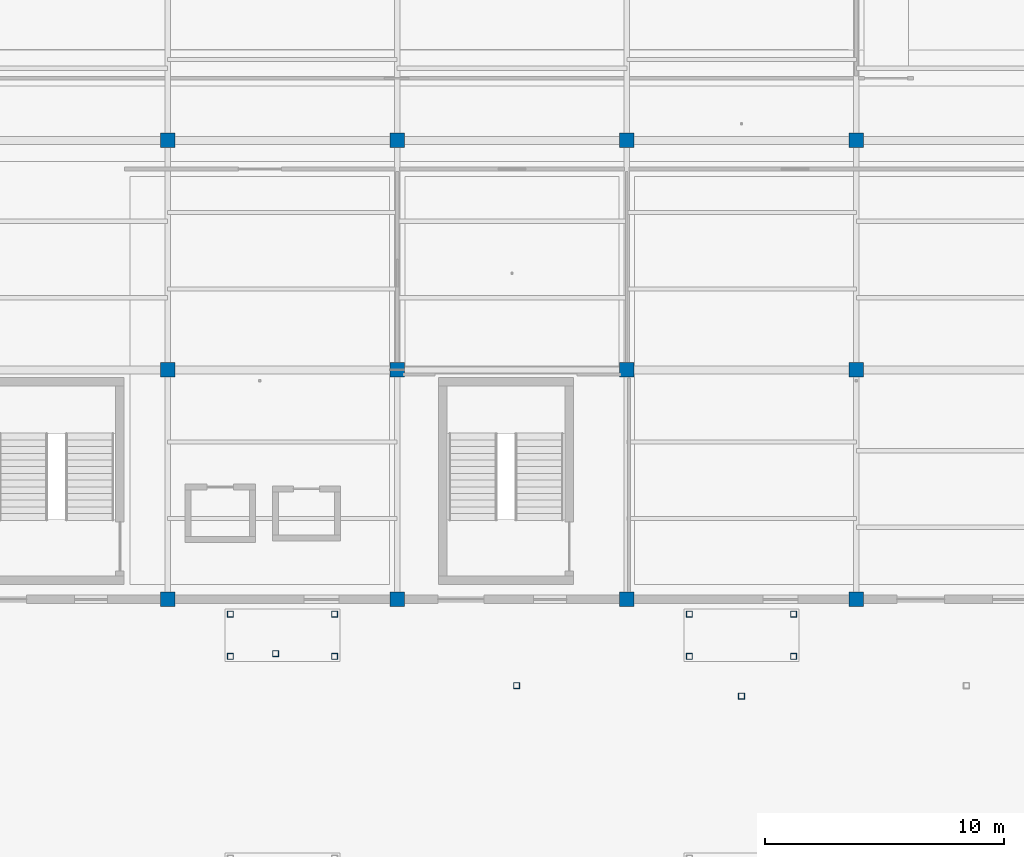
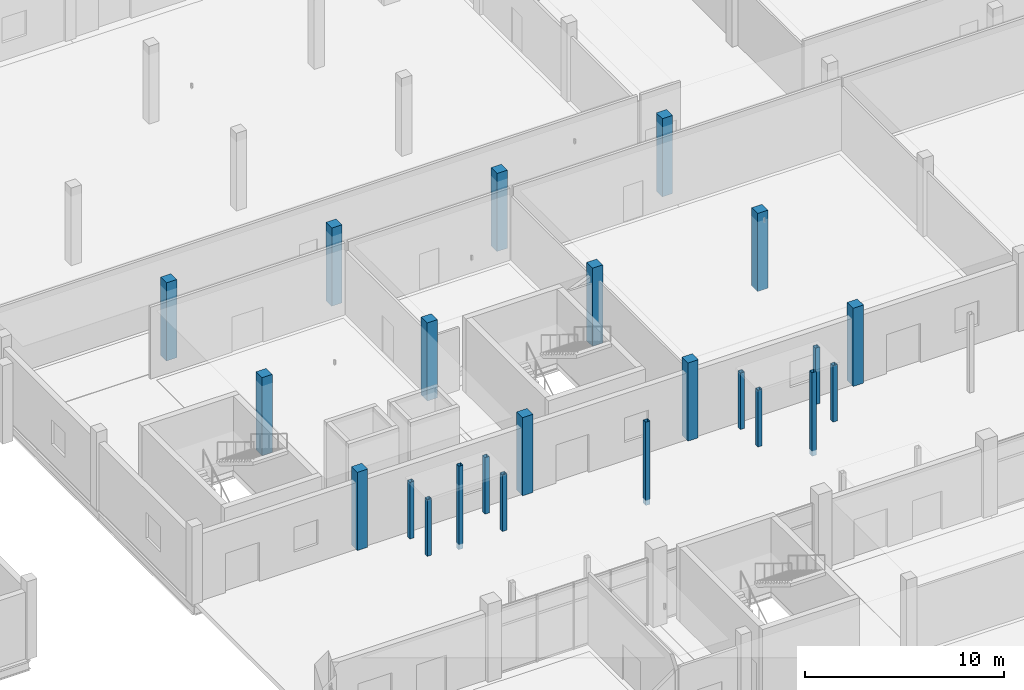
# One storey, part 9 of 116: 23 columns.
"""IFC4 building model written with IfcOpenShell, lengths in metres."""

from ifc_helpers import new_model, si_unit, direction, frame, origin, origin_2d, place, context, subcontext, project, spatial, rectangle, hollow_rectangle, extrude, material, material_profile, profile_set, type_object, element, save


model = new_model("IFC4")

# Units and contexts
model_context = context("Model", 3, precision=1e-05, world=origin(), true_north=direction((0.0, 1.0)))
body_context = subcontext(model_context, "Body", "Model", "MODEL_VIEW")
ifc_project = project(units=[si_unit("LENGTHUNIT", "METRE"), si_unit("AREAUNIT", "SQUARE_METRE"), si_unit("VOLUMEUNIT", "CUBIC_METRE"), si_unit("PLANEANGLEUNIT", "RADIAN"), si_unit("MASSUNIT", "GRAM", prefix="KILO")], contexts=[model_context])

# Site, building, storey
site_placement = place(None, origin())
site = spatial("IfcSite", under=ifc_project, at=site_placement, CompositionType="ELEMENT")
building_placement = place(site_placement, origin())
building = spatial("IfcBuilding", under=site, at=building_placement, Name="Chalmorin Arch Market", CompositionType="ELEMENT")
storey_placement = place(building_placement, origin())
storey = spatial("IfcBuildingStorey", under=building, at=storey_placement, Name="L00", CompositionType="ELEMENT", Elevation=0.0)

# Columns
ifc_material_1 = material(Name="Concrete C40/50", Category="concrete")
ifc_material_profile_1 = material_profile(ifc_material_1, rectangle(XDim=0.60009765625, YDim=0.60009765625, at=origin_2d()), Name="RC600X600")
ifc_profile_set_1 = profile_set([ifc_material_profile_1], Name="Concrete C40/50")
column_type_1 = type_object("IfcColumnType", Name="InteriorConcreteColumn-600x600", PredefinedType="COLUMN", material=ifc_profile_set_1)
for number, where, z_axis, x_axis, name in (
    (1, (57.60009765625, 72.0, 0.0), (0.0, 0.0, 1.0), (1.0, 0.0, 0.0), "C-RC2-281"),
    (2, (57.60009765625, 81.60009765625, 0.0), (0.0, 0.0, 1.0), (1.0, 0.0, 0.0), "C-RC2-286"),
    (3, (57.60009765625, 91.199951171875, 0.0), (0.0, 0.0, 1.0), (1.0, 0.0, 0.0), "C-RC2-291"),
    (4, (67.199951171875, 72.0, 0.0), (0.0, 0.0, 1.0), (1.0, 0.0, 0.0), "C-RC2-336"),
    (5, (67.199951171875, 81.60009765625, 0.0), (0.0, 0.0, 1.0), (1.0, 0.0, 0.0), "C-RC2-341"),
    (6, (67.199951171875, 91.199951171875, 0.0), (0.0, 0.0, 1.0), (1.0, 0.0, 0.0), "C-RC2-346"),
    (7, (76.800048828125, 72.0, 0.0), (0.0, 0.0, 1.0), (1.0, 0.0, 0.0), "C-RC2-391"),
    (8, (76.800048828125, 81.60009765625, 0.0), (0.0, 0.0, 1.0), (1.0, 0.0, 0.0), "C-RC2-396"),
    (9, (76.800048828125, 91.199951171875, 0.0), (0.0, 0.0, 1.0), (1.0, 0.0, 0.0), "C-RC2-401"),
    (10, (86.39990234375, 72.0, 0.0), (0.0, 0.0, 1.0), (1.0, 0.0, 0.0), "C-RC2-446"),
    (11, (86.39990234375, 81.60009765625, 0.0), (0.0, 0.0, 1.0), (1.0, 0.0, 0.0), "C-RC2-451"),
    (12, (86.39990234375, 91.199951171875, 0.0), (0.0, 0.0, 1.0), (1.0, 0.0, 0.0), "C-RC2-456"),
):
    element("IfcColumn", number, at=place(storey_placement, frame(where, z_axis=z_axis, x_axis=x_axis)), inside=storey, type_object=column_type_1, Name=name, PredefinedType="COLUMN", context=body_context, shape_type="SweptSolid", body=[
        extrude(rectangle(XDim=0.60009765625, YDim=0.60009765625, at=origin_2d()), origin(), (0.0, 0.0, 1.0), 4.800048828125),
    ])
ifc_material_2 = material(Name="Steel A500 Grade C", Category="steel")
ifc_material_profile_2 = material_profile(ifc_material_2, hollow_rectangle(XDim=0.25390625, YDim=0.25390625, WallThickness=0.01171875, at=origin_2d()), Name="HSS10X10X1/2")
ifc_profile_set_2 = profile_set([ifc_material_profile_2], Name="Steel A500 Grade C")
column_type_2 = type_object("IfcColumnType", Name="SteelTubeColumn-HSS10X10", PredefinedType="COLUMN", material=ifc_profile_set_2)
for number, where, z_axis, x_axis, name in (
    (13, (62.112060546875, 69.73095703125, -0.320068359375), (0.0, 0.0, 1.0), (1.0, 0.0, 0.0), "C-HS2-708"),
    (14, (72.19189453125, 68.387939453125, -0.320068359375), (0.0, 0.0, 1.0), (1.0, 0.0, 0.0), "C-HS2-716"),
    (15, (81.60009765625, 67.949951171875, -0.320068359375), (0.0, 0.0, 1.0), (1.0, 0.0, 0.0), "C-HS2-724"),
):
    element("IfcColumn", number, at=place(storey_placement, frame(where, z_axis=z_axis, x_axis=x_axis)), inside=storey, type_object=column_type_2, Name=name, PredefinedType="COLUMN", context=body_context, shape_type="SweptSolid", body=[
        extrude(hollow_rectangle(XDim=0.25390625, YDim=0.25390625, WallThickness=0.01171875, at=origin_2d()), origin(), (0.0, 0.0, 1.0), 5.1201171875),
    ])
for number, where, z_axis, x_axis, name in (
    (16, (60.219970703125, 69.6201171875, 0.0), (0.0, 0.0, 1.0), (1.0, 0.0, 0.0), "C-CNP-041"),
    (17, (64.580078125, 69.6201171875, 0.0), (0.0, 0.0, 1.0), (1.0, 0.0, 0.0), "C-CNP-042"),
    (18, (64.580078125, 71.3798828125, 0.0), (0.0, 0.0, 1.0), (1.0, 0.0, 0.0), "C-CNP-043"),
    (19, (60.219970703125, 71.3798828125, 0.0), (0.0, 0.0, 1.0), (1.0, 0.0, 0.0), "C-CNP-044"),
    (20, (79.419921875, 69.6201171875, 0.0), (0.0, 0.0, 1.0), (1.0, 0.0, 0.0), "C-CNP-051"),
    (21, (83.780029296875, 69.6201171875, 0.0), (0.0, 0.0, 1.0), (1.0, 0.0, 0.0), "C-CNP-052"),
    (22, (83.780029296875, 71.3798828125, 0.0), (0.0, 0.0, 1.0), (1.0, 0.0, 0.0), "C-CNP-053"),
    (23, (79.419921875, 71.3798828125, 0.0), (0.0, 0.0, 1.0), (1.0, 0.0, 0.0), "C-CNP-054"),
):
    element("IfcColumn", number, at=place(storey_placement, frame(where, z_axis=z_axis, x_axis=x_axis)), inside=storey, type_object=column_type_2, Name=name, PredefinedType="COLUMN", context=body_context, shape_type="SweptSolid", body=[
        extrude(hollow_rectangle(XDim=0.25390625, YDim=0.25390625, WallThickness=0.01171875, at=origin_2d()), origin(), (0.0, 0.0, 1.0), 3.469970703125),
    ])

save(model, "model.ifc")
